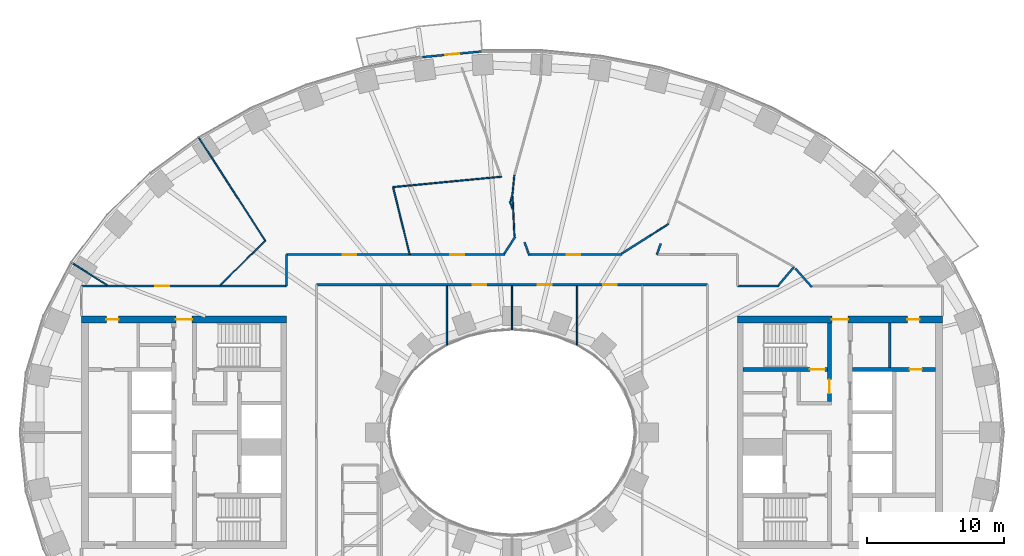
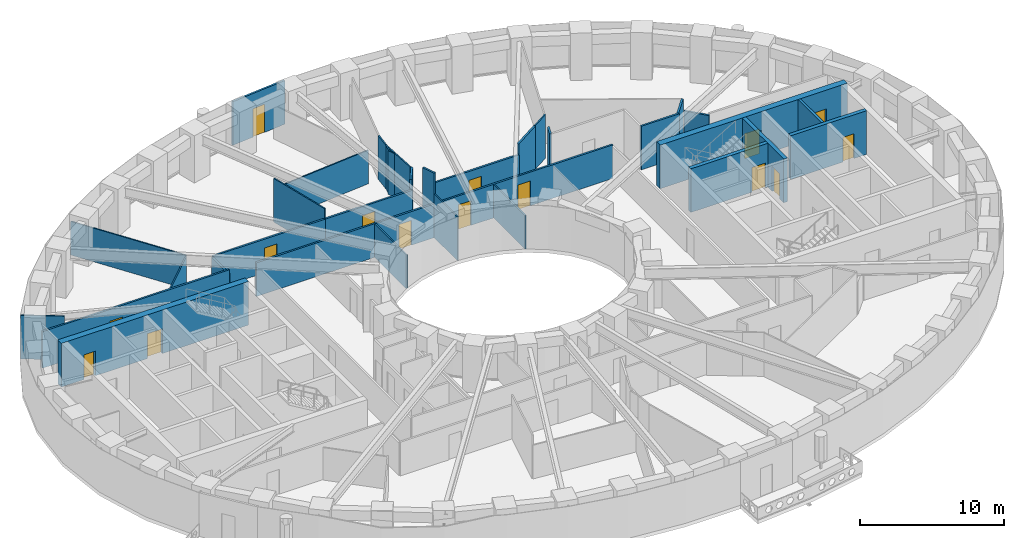
# One storey, part 6 of 16: 33 walls, 15 doors, 15 openings.
"""IFC4 building model written with IfcOpenShell, lengths in metres."""

from ifc_helpers import new_model, si_unit, direction, frame, frame_2d, origin, place, context, subcontext, project, spatial, rectangle, extrude, material, layer, layer_set, type_object, element, fill, save


model = new_model("IFC4")

# Units and contexts
model_context = context("Model", 3, precision=1e-05, world=origin(), true_north=direction((0.0, 1.0)))
body_context = subcontext(model_context, "Body", "Model", "MODEL_VIEW")
ifc_project = project(units=[si_unit("LENGTHUNIT", "METRE"), si_unit("AREAUNIT", "SQUARE_METRE"), si_unit("VOLUMEUNIT", "CUBIC_METRE"), si_unit("PLANEANGLEUNIT", "RADIAN"), si_unit("MASSUNIT", "GRAM", prefix="KILO")], contexts=[model_context])

# Site, building, storey
site_placement = place(None, origin())
site = spatial("IfcSite", under=ifc_project, at=site_placement, CompositionType="ELEMENT")
building_placement = place(site_placement, origin())
building = spatial("IfcBuilding", under=site, at=building_placement, Name="Noorbagh Ring Tower", CompositionType="ELEMENT")
storey_placement = place(building_placement, frame((0.0, 0.0, 42.5)))
storey = spatial("IfcBuildingStorey", under=building, at=storey_placement, Name="L08", CompositionType="ELEMENT", Elevation=42.5)

# Wall
ifc_material_1 = material(Name="Gypsum board on steel studs", Category="steel")
ifc_layer_1 = layer(ifc_material_1, 0.199951171875)
ifc_layer_set_1 = layer_set([ifc_layer_1], Name="Gypsum board on steel studs")
wall_type_1 = type_object("IfcWallType", Name="CORE-PARTITION-200", PredefinedType="PARTITIONING", material=ifc_layer_set_1)
wall_1_placement = place(storey_placement, frame((27.64990234375, 4.75, 0.0), z_axis=(0.0, 0.0, 1.0), x_axis=(0.0, 1.0, 0.0)))
element("IfcWall", 1, at=wall_1_placement, inside=storey, type_object=wall_type_1, Name="Core partition E", PredefinedType="PARTITIONING", context=body_context, shape_type="SweptSolid", body=[
    extrude(rectangle(XDim=3.25, YDim=0.199951171875, at=frame_2d((1.625, 0.0))), origin(), (0.0, 0.0, 1.0), 3.699951171875),
])

# Wall, opening, door
ifc_material_2 = material(Name="Concrete C70/85", Category="concrete")
ifc_layer_2 = layer(ifc_material_2, 0.300048828125)
ifc_layer_set_2 = layer_set([ifc_layer_2], Name="Concrete C70/85")
wall_type_2 = type_object("IfcWallType", Name="CORE-WALL-300-C70-85-EI240", PredefinedType="SHEAR", material=ifc_layer_set_2)
wall_2_placement = place(storey_placement, frame((24.89990234375, 4.60009765625, 0.0), z_axis=(0.0, 0.0, 1.0), x_axis=(1.0, 0.0, 0.0)))
wall_2 = element("IfcWall", 2, at=wall_2_placement, inside=storey, type_object=wall_type_2, Name="Core wall E", PredefinedType="SHEAR", context=body_context, shape_type="SweptSolid", body=[
    extrude(rectangle(XDim=6.10009765625, YDim=0.300048828125, at=frame_2d((3.050048828125, 0.0))), origin(), (0.0, 0.0, 1.0), 3.699951171875),
])
opening_1_placement = place(wall_2_placement, frame((4.199951171875, 0.0, 0.0)))
opening_1 = element("IfcOpeningElement", 3, at=opening_1_placement, cuts=wall_2, Name="Opening L08-CE18", PredefinedType="OPENING", context=body_context, shape_type="SweptSolid", body=[
    extrude(rectangle(XDim=0.89990234375, YDim=2.10009765625, at=frame_2d((0.449951171875, 1.050048828125))), frame((0.0, 0.16015625, 0.0), z_axis=(0.0, -1.0, 0.0), x_axis=(1.0, 0.0, 0.0)), (0.0, 0.0, 1.0), 0.320068359375),
])
ifc_material_3 = material(Name="Steel door leaf", Category="steel")
door_type_1 = type_object("IfcDoorType", Name="CORE-DOOR-DROOM", OperationType="SINGLE_SWING_LEFT", PredefinedType="DOOR", material=ifc_material_3)
door_1_placement = place(opening_1_placement, origin())
door_1 = element("IfcDoor", 4, at=door_1_placement, inside=storey, type_object=door_type_1, Name="Core room door L08-CE18", OperationType="SINGLE_SWING_RIGHT", OverallHeight=2.10009765625, OverallWidth=0.89990234375, PredefinedType="DOOR", context=body_context, shape_type="SweptSolid", body=[
    extrude(rectangle(XDim=0.89990234375, YDim=2.10009765625, at=frame_2d((0.449951171875, 1.050048828125))), frame((0.0, 0.02490234375, 0.0), z_axis=(0.0, -1.0, 0.0), x_axis=(1.0, 0.0, 0.0)), (0.0, 0.0, 1.0), 0.050048828125),
])
fill(opening_1, door_1)

wall_3_placement = place(storey_placement, frame((23.22998046875, 2.25, 0.0), z_axis=(0.0, 0.0, 1.0), x_axis=(0.0, 1.0, 0.0)))
wall_3 = element("IfcWall", 5, at=wall_3_placement, inside=storey, type_object=wall_type_2, Name="Core wall E", PredefinedType="SHEAR", context=body_context, shape_type="SweptSolid", body=[
    extrude(rectangle(XDim=5.75, YDim=0.300048828125, at=frame_2d((2.875, 0.0))), origin(), (0.0, 0.0, 1.0), 3.699951171875),
])
opening_2_placement = place(wall_3_placement, frame((0.60009765625, 0.0, 0.0)))
opening_2 = element("IfcOpeningElement", 6, at=opening_2_placement, cuts=wall_3, Name="Opening L08-CE08", PredefinedType="OPENING", context=body_context, shape_type="SweptSolid", body=[
    extrude(rectangle(XDim=1.0, YDim=2.10009765625, at=frame_2d((0.5, 1.050048828125))), frame((0.0, 0.16015625, 0.0), z_axis=(0.0, -1.0, 0.0), x_axis=(1.0, 0.0, 0.0)), (0.0, 0.0, 1.0), 0.320068359375),
])
ifc_material_4 = material(Name="Steel door leaf", Category="steel")
door_type_2 = type_object("IfcDoorType", Name="CORE-DOOR-DVEST", OperationType="SINGLE_SWING_LEFT", PredefinedType="DOOR", material=ifc_material_4)
door_2_placement = place(opening_2_placement, origin())
door_2 = element("IfcDoor", 7, at=door_2_placement, inside=storey, type_object=door_type_2, Name="Stair vestibule door L08-CE08", OperationType="SINGLE_SWING_RIGHT", OverallHeight=2.10009765625, OverallWidth=1.0, PredefinedType="DOOR", context=body_context, shape_type="SweptSolid", body=[
    extrude(rectangle(XDim=1.0, YDim=2.10009765625, at=frame_2d((0.5, 1.050048828125))), frame((0.0, 0.02490234375, 0.0), z_axis=(0.0, -1.0, 0.0), x_axis=(1.0, 0.0, 0.0)), (0.0, 0.0, 1.0), 0.050048828125),
])
fill(opening_2, door_2)

wall_4_placement = place(storey_placement, frame((16.89990234375, 4.60009765625, 0.0), z_axis=(0.0, 0.0, 1.0), x_axis=(1.0, 0.0, 0.0)))
wall_4 = element("IfcWall", 8, at=wall_4_placement, inside=storey, type_object=wall_type_2, Name="Core wall E", PredefinedType="SHEAR", context=body_context, shape_type="SweptSolid", body=[
    extrude(rectangle(XDim=6.18017578125, YDim=0.300048828125, at=frame_2d((3.090087890625, 0.0))), origin(), (0.0, 0.0, 1.0), 3.699951171875),
])
opening_3_placement = place(wall_4_placement, frame((4.89990234375, 0.0, 0.0)))
opening_3 = element("IfcOpeningElement", 9, at=opening_3_placement, cuts=wall_4, Name="Opening L08-CE05", PredefinedType="OPENING", context=body_context, shape_type="SweptSolid", body=[
    extrude(rectangle(XDim=1.10009765625, YDim=2.10009765625, at=frame_2d((0.550048828125, 1.050048828125))), frame((0.0, 0.16015625, 0.0), z_axis=(0.0, -1.0, 0.0), x_axis=(1.0, 0.0, 0.0)), (0.0, 0.0, 1.0), 0.320068359375),
])
ifc_material_5 = material(Name="Steel door leaf", Category="steel")
door_type_3 = type_object("IfcDoorType", Name="CORE-DOOR-DSTAIR", OperationType="SINGLE_SWING_LEFT", PredefinedType="DOOR", material=ifc_material_5)
door_3_placement = place(opening_3_placement, origin())
door_3 = element("IfcDoor", 10, at=door_3_placement, inside=storey, type_object=door_type_3, Name="Stair door ST3 L08-CE05", OperationType="SINGLE_SWING_LEFT", OverallHeight=2.10009765625, OverallWidth=1.10009765625, PredefinedType="DOOR", context=body_context, shape_type="SweptSolid", body=[
    extrude(rectangle(XDim=1.10009765625, YDim=2.10009765625, at=frame_2d((0.550048828125, 1.050048828125))), frame((0.0, 0.02490234375, 0.0), z_axis=(0.0, -1.0, 0.0), x_axis=(1.0, 0.0, 0.0)), (0.0, 0.0, 1.0), 0.050048828125),
])
fill(opening_3, door_3)

# Wall, openings, doors
ifc_material_6 = material(Name="Concrete C70/85", Category="concrete")
ifc_layer_3 = layer(ifc_material_6, 0.5)
ifc_layer_set_3 = layer_set([ifc_layer_3], Name="Concrete C70/85")
wall_type_3 = type_object("IfcWallType", Name="CORE-WALL-500-C70-85-EI240", PredefinedType="SHEAR", material=ifc_layer_set_3)
wall_5_placement = place(storey_placement, frame((-16.5, 8.25, 0.0), z_axis=(0.0, 0.0, 1.0), x_axis=(-1.0, 0.0, 0.0)))
wall_5 = element("IfcWall", 11, at=wall_5_placement, inside=storey, type_object=wall_type_3, Name="Core wall W", PredefinedType="SHEAR", context=body_context, shape_type="SweptSolid", body=[
    extrude(rectangle(XDim=15.0, YDim=0.5, at=frame_2d((7.5, 0.0))), origin(), (0.0, 0.0, 1.0), 3.699951171875),
])
opening_4_placement = place(wall_5_placement, frame((6.89990234375, 0.0, 0.0)))
opening_4 = element("IfcOpeningElement", 12, at=opening_4_placement, cuts=wall_5, Name="Opening L08-CW09", PredefinedType="OPENING", context=body_context, shape_type="SweptSolid", body=[
    extrude(rectangle(XDim=1.199951171875, YDim=2.10009765625, at=frame_2d((0.60009765625, 1.050048828125))), frame((0.0, 0.260009765625, 0.0), z_axis=(0.0, -1.0, 0.0), x_axis=(1.0, 0.0, 0.0)), (0.0, 0.0, 1.0), 0.52001953125),
])
opening_5_placement = place(wall_5_placement, frame((12.27490234375, 0.0, 0.0)))
opening_5 = element("IfcOpeningElement", 13, at=opening_5_placement, cuts=wall_5, Name="Opening L08-CW14", PredefinedType="OPENING", context=body_context, shape_type="SweptSolid", body=[
    extrude(rectangle(XDim=0.89990234375, YDim=2.10009765625, at=frame_2d((0.449951171875, 1.050048828125))), frame((0.0, 0.260009765625, 0.0), z_axis=(0.0, -1.0, 0.0), x_axis=(1.0, 0.0, 0.0)), (0.0, 0.0, 1.0), 0.52001953125),
])
door_4_placement = place(opening_5_placement, origin())
door_4 = element("IfcDoor", 14, at=door_4_placement, inside=storey, type_object=door_type_1, Name="Core room door L08-CW14", OperationType="SINGLE_SWING_RIGHT", OverallHeight=2.10009765625, OverallWidth=0.89990234375, PredefinedType="DOOR", context=body_context, shape_type="SweptSolid", body=[
    extrude(rectangle(XDim=0.89990234375, YDim=2.10009765625, at=frame_2d((0.449951171875, 1.050048828125))), frame((0.0, 0.02490234375, 0.0), z_axis=(0.0, -1.0, 0.0), x_axis=(1.0, 0.0, 0.0)), (0.0, 0.0, 1.0), 0.050048828125),
])
fill(opening_5, door_4)
ifc_material_7 = material(Name="Steel door leaf", Category="steel")
door_type_4 = type_object("IfcDoorType", Name="CORE-DOOR-PORT", OperationType="DOUBLE_DOOR_DOUBLE_SWING", PredefinedType="DOOR", material=ifc_material_7)
door_5_placement = place(opening_4_placement, origin())
door_5 = element("IfcDoor", 15, at=door_5_placement, inside=storey, type_object=door_type_4, Name="Core entrance door L08-CW09", OperationType="DOUBLE_DOOR_DOUBLE_SWING", OverallHeight=2.10009765625, OverallWidth=1.199951171875, PredefinedType="DOOR", context=body_context, shape_type="SweptSolid", body=[
    extrude(rectangle(XDim=1.199951171875, YDim=2.10009765625, at=frame_2d((0.60009765625, 1.050048828125))), frame((0.0, 0.02490234375, 0.0), z_axis=(0.0, -1.0, 0.0), x_axis=(1.0, 0.0, 0.0)), (0.0, 0.0, 1.0), 0.050048828125),
])
fill(opening_4, door_5)

wall_6_placement = place(storey_placement, frame((16.5, 8.25, 0.0), z_axis=(0.0, 0.0, 1.0), x_axis=(1.0, 0.0, 0.0)))
wall_6 = element("IfcWall", 16, at=wall_6_placement, inside=storey, type_object=wall_type_3, Name="Core wall E", PredefinedType="SHEAR", context=body_context, shape_type="SweptSolid", body=[
    extrude(rectangle(XDim=15.0, YDim=0.5, at=frame_2d((7.5, 0.0))), origin(), (0.0, 0.0, 1.0), 3.699951171875),
])
opening_6_placement = place(wall_6_placement, frame((6.89990234375, 0.0, 0.0)))
opening_6 = element("IfcOpeningElement", 17, at=opening_6_placement, cuts=wall_6, Name="Opening L08-CE09", PredefinedType="OPENING", context=body_context, shape_type="SweptSolid", body=[
    extrude(rectangle(XDim=1.199951171875, YDim=2.10009765625, at=frame_2d((0.60009765625, 1.050048828125))), frame((0.0, 0.260009765625, 0.0), z_axis=(0.0, -1.0, 0.0), x_axis=(1.0, 0.0, 0.0)), (0.0, 0.0, 1.0), 0.52001953125),
])
opening_7_placement = place(wall_6_placement, frame((12.425048828125, 0.0, 0.0)))
opening_7 = element("IfcOpeningElement", 18, at=opening_7_placement, cuts=wall_6, Name="Opening L08-CE15", PredefinedType="OPENING", context=body_context, shape_type="SweptSolid", body=[
    extrude(rectangle(XDim=0.89990234375, YDim=2.10009765625, at=frame_2d((0.449951171875, 1.050048828125))), frame((0.0, 0.260009765625, 0.0), z_axis=(0.0, -1.0, 0.0), x_axis=(1.0, 0.0, 0.0)), (0.0, 0.0, 1.0), 0.52001953125),
])
door_6_placement = place(opening_7_placement, origin())
door_6 = element("IfcDoor", 19, at=door_6_placement, inside=storey, type_object=door_type_1, Name="Core room door L08-CE15", OperationType="SINGLE_SWING_LEFT", OverallHeight=2.10009765625, OverallWidth=0.89990234375, PredefinedType="DOOR", context=body_context, shape_type="SweptSolid", body=[
    extrude(rectangle(XDim=0.89990234375, YDim=2.10009765625, at=frame_2d((0.449951171875, 1.050048828125))), frame((0.0, 0.02490234375, 0.0), z_axis=(0.0, -1.0, 0.0), x_axis=(1.0, 0.0, 0.0)), (0.0, 0.0, 1.0), 0.050048828125),
])
fill(opening_7, door_6)
door_7_placement = place(opening_6_placement, origin())
door_7 = element("IfcDoor", 20, at=door_7_placement, inside=storey, type_object=door_type_4, Name="Core entrance door L08-CE09", OperationType="DOUBLE_DOOR_DOUBLE_SWING", OverallHeight=2.10009765625, OverallWidth=1.199951171875, PredefinedType="DOOR", context=body_context, shape_type="SweptSolid", body=[
    extrude(rectangle(XDim=1.199951171875, YDim=2.10009765625, at=frame_2d((0.60009765625, 1.050048828125))), frame((0.0, 0.02490234375, 0.0), z_axis=(0.0, -1.0, 0.0), x_axis=(1.0, 0.0, 0.0)), (0.0, 0.0, 1.0), 0.050048828125),
])
fill(opening_6, door_7)

# Wall, opening, door
ifc_material_8 = material(Name="Gypsum board on steel studs", Category="steel")
ifc_layer_4 = layer(ifc_material_8, 0.14990234375)
ifc_layer_set_4 = layer_set([ifc_layer_4], Name="Gypsum board on steel studs")
wall_type_4 = type_object("IfcWallType", Name="CORRIDOR PARTITION 150 EI 30", PredefinedType="PARTITIONING", material=ifc_layer_set_4)
wall_7_placement = place(storey_placement, frame((-31.5, 10.699951171875, 0.0), z_axis=(0.0, 0.0, 1.0), x_axis=(1.0, 0.0, 0.0)))
wall_7 = element("IfcWall", 21, at=wall_7_placement, inside=storey, type_object=wall_type_4, Name="L08/wall/P07", PredefinedType="PARTITIONING", context=body_context, shape_type="SweptSolid", body=[
    extrude(rectangle(XDim=15.0, YDim=0.14990234375, at=frame_2d((7.5, 0.0))), origin(), (0.0, 0.0, 1.0), 3.10009765625),
])
opening_8_placement = place(wall_7_placement, frame((5.4140625, 0.0, 0.0)))
opening_8 = element("IfcOpeningElement", 22, at=opening_8_placement, cuts=wall_7, Name="Opening D1", PredefinedType="OPENING", context=body_context, shape_type="SweptSolid", body=[
    extrude(rectangle(XDim=1.0, YDim=2.10009765625, at=frame_2d((0.5, 1.050048828125))), frame((0.0, 0.0849609375, 0.0), z_axis=(0.0, -1.0, 0.0), x_axis=(1.0, 0.0, 0.0)), (0.0, 0.0, 1.0), 0.169921875),
])
ifc_material_9 = material(Name="Timber, painted", Category="wood")
door_type_5 = type_object("IfcDoorType", Name="DOOR 1000 X 2100 FD30", OperationType="SINGLE_SWING_LEFT", PredefinedType="DOOR", material=ifc_material_9)
door_8_placement = place(opening_8_placement, origin())
door_8 = element("IfcDoor", 23, at=door_8_placement, inside=storey, type_object=door_type_5, Name="L08-D09", OperationType="SINGLE_SWING_LEFT", OverallHeight=2.10009765625, OverallWidth=1.0, PredefinedType="DOOR", context=body_context, shape_type="SweptSolid", body=[
    extrude(rectangle(XDim=1.0, YDim=2.10009765625, at=frame_2d((0.5, 1.050048828125))), frame((0.0, 0.02490234375, 0.0), z_axis=(0.0, -1.0, 0.0), x_axis=(1.0, 0.0, 0.0)), (0.0, 0.0, 1.0), 0.050048828125),
])
fill(opening_8, door_8)

# Wall
wall_8_placement = place(storey_placement, frame((-16.5, 10.699951171875, 0.0), z_axis=(0.0, 0.0, 1.0), x_axis=(0.0, 1.0, 0.0)))
element("IfcWall", 24, at=wall_8_placement, inside=storey, type_object=wall_type_4, Name="L08/wall/P14", PredefinedType="PARTITIONING", context=body_context, shape_type="SweptSolid", body=[
    extrude(rectangle(XDim=2.300048828125, YDim=0.14990234375, at=frame_2d((1.14990234375, 0.0))), origin(), (0.0, 0.0, 1.0), 2.75),
])

# Wall, opening, door
wall_9_placement = place(storey_placement, frame((-16.5, 13.0, 0.0), z_axis=(0.0, 0.0, 1.0), x_axis=(1.0, 0.0, 0.0)))
wall_9 = element("IfcWall", 25, at=wall_9_placement, inside=storey, type_object=wall_type_4, Name="L08/wall/P15", PredefinedType="PARTITIONING", context=body_context, shape_type="SweptSolid", body=[
    extrude(rectangle(XDim=9.0009765625, YDim=0.14990234375, at=frame_2d((4.50048828125, 0.0))), origin(), (0.0, 0.0, 1.0), 2.85009765625),
])
opening_9_placement = place(wall_9_placement, frame((4.116943359375, 0.0, 0.0)))
opening_9 = element("IfcOpeningElement", 26, at=opening_9_placement, cuts=wall_9, Name="Opening D1", PredefinedType="OPENING", context=body_context, shape_type="SweptSolid", body=[
    extrude(rectangle(XDim=1.0, YDim=2.10009765625, at=frame_2d((0.5, 1.050048828125))), frame((0.0, 0.0849609375, 0.0), z_axis=(0.0, -1.0, 0.0), x_axis=(1.0, 0.0, 0.0)), (0.0, 0.0, 1.0), 0.169921875),
])
door_9_placement = place(opening_9_placement, origin())
door_9 = element("IfcDoor", 27, at=door_9_placement, inside=storey, type_object=door_type_5, Name="L08-D11", OperationType="SINGLE_SWING_LEFT", OverallHeight=2.10009765625, OverallWidth=1.0, PredefinedType="DOOR", context=body_context, shape_type="SweptSolid", body=[
    extrude(rectangle(XDim=1.0, YDim=2.10009765625, at=frame_2d((0.5, 1.050048828125))), frame((0.0, 0.02490234375, 0.0), z_axis=(0.0, -1.0, 0.0), x_axis=(1.0, 0.0, 0.0)), (0.0, 0.0, 1.0), 0.050048828125),
])
fill(opening_9, door_9)

# Wall, openings, doors
wall_10_placement = place(storey_placement, frame((-14.300048828125, 10.800048828125, 0.0), z_axis=(0.0, 0.0, 1.0), x_axis=(1.0, 0.0, 0.0)))
wall_10 = element("IfcWall", 28, at=wall_10_placement, inside=storey, type_object=wall_type_4, Name="L08/wall/P18", PredefinedType="PARTITIONING", context=body_context, shape_type="SweptSolid", body=[
    extrude(rectangle(XDim=28.60009765625, YDim=0.14990234375, at=frame_2d((14.300048828125, 0.0))), origin(), (0.0, 0.0, 1.0), 2.85009765625),
])
opening_10_placement = place(wall_10_placement, frame((11.43310546875, 0.0, 0.0)))
opening_10 = element("IfcOpeningElement", 29, at=opening_10_placement, cuts=wall_10, Name="Opening D1", PredefinedType="OPENING", context=body_context, shape_type="SweptSolid", body=[
    extrude(rectangle(XDim=1.0, YDim=2.10009765625, at=frame_2d((0.5, 1.050048828125))), frame((0.0, 0.0849609375, 0.0), z_axis=(0.0, -1.0, 0.0), x_axis=(1.0, 0.0, 0.0)), (0.0, 0.0, 1.0), 0.169921875),
])
opening_11_placement = place(wall_10_placement, frame((16.199951171875, 0.0, 0.0)))
opening_11 = element("IfcOpeningElement", 30, at=opening_11_placement, cuts=wall_10, Name="Opening D1", PredefinedType="OPENING", context=body_context, shape_type="SweptSolid", body=[
    extrude(rectangle(XDim=1.0, YDim=2.10009765625, at=frame_2d((0.5, 1.050048828125))), frame((0.0, 0.0849609375, 0.0), z_axis=(0.0, -1.0, 0.0), x_axis=(1.0, 0.0, 0.0)), (0.0, 0.0, 1.0), 0.169921875),
])
opening_12_placement = place(wall_10_placement, frame((20.967041015625, 0.0, 0.0)))
opening_12 = element("IfcOpeningElement", 31, at=opening_12_placement, cuts=wall_10, Name="Opening D1", PredefinedType="OPENING", context=body_context, shape_type="SweptSolid", body=[
    extrude(rectangle(XDim=1.0, YDim=2.10009765625, at=frame_2d((0.5, 1.050048828125))), frame((0.0, 0.0849609375, 0.0), z_axis=(0.0, -1.0, 0.0), x_axis=(1.0, 0.0, 0.0)), (0.0, 0.0, 1.0), 0.169921875),
])
door_10_placement = place(opening_10_placement, origin())
door_10 = element("IfcDoor", 32, at=door_10_placement, inside=storey, type_object=door_type_5, Name="L08-D22", OperationType="SINGLE_SWING_RIGHT", OverallHeight=2.10009765625, OverallWidth=1.0, PredefinedType="DOOR", context=body_context, shape_type="SweptSolid", body=[
    extrude(rectangle(XDim=1.0, YDim=2.10009765625, at=frame_2d((0.5, 1.050048828125))), frame((0.0, 0.02490234375, 0.0), z_axis=(0.0, -1.0, 0.0), x_axis=(1.0, 0.0, 0.0)), (0.0, 0.0, 1.0), 0.050048828125),
])
fill(opening_10, door_10)
door_11_placement = place(opening_11_placement, origin())
door_11 = element("IfcDoor", 33, at=door_11_placement, inside=storey, type_object=door_type_5, Name="L08-D24", OperationType="SINGLE_SWING_RIGHT", OverallHeight=2.10009765625, OverallWidth=1.0, PredefinedType="DOOR", context=body_context, shape_type="SweptSolid", body=[
    extrude(rectangle(XDim=1.0, YDim=2.10009765625, at=frame_2d((0.5, 1.050048828125))), frame((0.0, 0.02490234375, 0.0), z_axis=(0.0, -1.0, 0.0), x_axis=(1.0, 0.0, 0.0)), (0.0, 0.0, 1.0), 0.050048828125),
])
fill(opening_11, door_11)
door_12_placement = place(opening_12_placement, origin())
door_12 = element("IfcDoor", 34, at=door_12_placement, inside=storey, type_object=door_type_5, Name="L08-D25", OperationType="SINGLE_SWING_LEFT", OverallHeight=2.10009765625, OverallWidth=1.0, PredefinedType="DOOR", context=body_context, shape_type="SweptSolid", body=[
    extrude(rectangle(XDim=1.0, YDim=2.10009765625, at=frame_2d((0.5, 1.050048828125))), frame((0.0, 0.02490234375, 0.0), z_axis=(0.0, -1.0, 0.0), x_axis=(1.0, 0.0, 0.0)), (0.0, 0.0, 1.0), 0.050048828125),
])
fill(opening_12, door_12)

# Wall, opening, door
wall_11_placement = place(storey_placement, frame((-7.48291015625, 13.0, 0.0), z_axis=(0.0, 0.0, 1.0), x_axis=(1.0, 0.0, 0.0)))
wall_11 = element("IfcWall", 35, at=wall_11_placement, inside=storey, type_object=wall_type_4, Name="L08/wall/P33", PredefinedType="PARTITIONING", context=body_context, shape_type="SweptSolid", body=[
    extrude(rectangle(XDim=6.9599609375, YDim=0.14990234375, at=frame_2d((3.47998046875, 0.0))), origin(), (0.0, 0.0, 1.0), 2.85009765625),
])
opening_13_placement = place(wall_11_placement, frame((2.970947265625, 0.0, 0.0)))
opening_13 = element("IfcOpeningElement", 36, at=opening_13_placement, cuts=wall_11, Name="Opening D1", PredefinedType="OPENING", context=body_context, shape_type="SweptSolid", body=[
    extrude(rectangle(XDim=1.0, YDim=2.10009765625, at=frame_2d((0.5, 1.050048828125))), frame((0.0, 0.0849609375, 0.0), z_axis=(0.0, -1.0, 0.0), x_axis=(1.0, 0.0, 0.0)), (0.0, 0.0, 1.0), 0.169921875),
])
door_13_placement = place(opening_13_placement, origin())
door_13 = element("IfcDoor", 37, at=door_13_placement, inside=storey, type_object=door_type_5, Name="L08-D13", OperationType="SINGLE_SWING_LEFT", OverallHeight=2.10009765625, OverallWidth=1.0, PredefinedType="DOOR", context=body_context, shape_type="SweptSolid", body=[
    extrude(rectangle(XDim=1.0, YDim=2.10009765625, at=frame_2d((0.5, 1.050048828125))), frame((0.0, 0.02490234375, 0.0), z_axis=(0.0, -1.0, 0.0), x_axis=(1.0, 0.0, 0.0)), (0.0, 0.0, 1.0), 0.050048828125),
])
fill(opening_13, door_13)

# Walls
wall_12_placement = place(storey_placement, frame((-0.56396484375, 13.074951171875, 0.0), z_axis=(0.0, 0.0, 1.0), x_axis=(0.542961200627, 0.839757783301, 0.0)))
element("IfcWall", 38, at=wall_12_placement, inside=storey, type_object=wall_type_4, Name="L08/wall/P39", PredefinedType="PARTITIONING", context=body_context, shape_type="SweptSolid", body=[
    extrude(rectangle(XDim=1.4658203125, YDim=0.14990234375, at=frame_2d((0.73291015625, 0.0))), origin(), (0.0, 0.0, 1.0), 3.699951171875),
])
wall_13_placement = place(storey_placement, frame((0.9189453125, 13.908935546875, 0.0), z_axis=(0.0, 0.0, 1.0), x_axis=(0.338918653524, -0.94081568136, 0.0)))
element("IfcWall", 39, at=wall_13_placement, inside=storey, type_object=wall_type_4, Name="L08/wall/P53", PredefinedType="PARTITIONING", context=body_context, shape_type="SweptSolid", body=[
    extrude(rectangle(XDim=1.041748046875, YDim=0.14990234375, at=frame_2d((0.52099609375, 0.0))), origin(), (0.0, 0.0, 1.0), 3.699951171875),
])

# Wall, opening, door
wall_14_placement = place(storey_placement, frame((1.325927734375, 13.0, 0.0), z_axis=(0.0, 0.0, 1.0), x_axis=(1.0, 0.0, 0.0)))
wall_14 = element("IfcWall", 40, at=wall_14_placement, inside=storey, type_object=wall_type_4, Name="L08/wall/P55", PredefinedType="PARTITIONING", context=body_context, shape_type="SweptSolid", body=[
    extrude(rectangle(XDim=6.72119140625, YDim=0.14990234375, at=frame_2d((3.360595703125, 0.0))), origin(), (0.0, 0.0, 1.0), 2.85009765625),
])
opening_14_placement = place(wall_14_placement, frame((2.680908203125, 0.0, 0.0)))
opening_14 = element("IfcOpeningElement", 41, at=opening_14_placement, cuts=wall_14, Name="Opening D1", PredefinedType="OPENING", context=body_context, shape_type="SweptSolid", body=[
    extrude(rectangle(XDim=1.0, YDim=2.10009765625, at=frame_2d((0.5, 1.050048828125))), frame((0.0, 0.0849609375, 0.0), z_axis=(0.0, -1.0, 0.0), x_axis=(1.0, 0.0, 0.0)), (0.0, 0.0, 1.0), 0.169921875),
])
door_14_placement = place(opening_14_placement, origin())
door_14 = element("IfcDoor", 42, at=door_14_placement, inside=storey, type_object=door_type_5, Name="L08-D15", OperationType="SINGLE_SWING_LEFT", OverallHeight=2.10009765625, OverallWidth=1.0, PredefinedType="DOOR", context=body_context, shape_type="SweptSolid", body=[
    extrude(rectangle(XDim=1.0, YDim=2.10009765625, at=frame_2d((0.5, 1.050048828125))), frame((0.0, 0.02490234375, 0.0), z_axis=(0.0, -1.0, 0.0), x_axis=(1.0, 0.0, 0.0)), (0.0, 0.0, 1.0), 0.050048828125),
])
fill(opening_14, door_14)

# Walls
wall_15_placement = place(storey_placement, frame((8.028076171875, 13.076904296875, 0.0), z_axis=(0.0, 0.0, 1.0), x_axis=(0.844718865656, 0.53521027457, 0.0)))
element("IfcWall", 43, at=wall_15_placement, inside=storey, type_object=wall_type_4, Name="L08/wall/P61", PredefinedType="PARTITIONING", context=body_context, shape_type="SweptSolid", body=[
    extrude(rectangle(XDim=2.49658203125, YDim=0.14990234375, at=frame_2d((1.248291015625, 0.0))), origin(), (0.0, 0.0, 1.0), 3.699951171875),
])
wall_16_placement = place(storey_placement, frame((10.594970703125, 13.0, 0.0), z_axis=(0.0, 0.0, 1.0), x_axis=(0.338659506624, 0.940908995904, 0.0)))
element("IfcWall", 44, at=wall_16_placement, inside=storey, type_object=wall_type_4, Name="L08/wall/P66", PredefinedType="PARTITIONING", context=body_context, shape_type="SweptSolid", body=[
    extrude(rectangle(XDim=0.864990234375, YDim=0.14990234375, at=frame_2d((0.4326171875, 0.0))), origin(), (0.0, 0.0, 1.0), 3.699951171875),
])
wall_17_placement = place(storey_placement, frame((16.5, 10.699951171875, 0.0), z_axis=(0.0, 0.0, 1.0), x_axis=(1.0, 0.0, 0.0)))
element("IfcWall", 45, at=wall_17_placement, inside=storey, type_object=wall_type_4, Name="L08/wall/P77", PredefinedType="PARTITIONING", context=body_context, shape_type="SweptSolid", body=[
    extrude(rectangle(XDim=3.04296875, YDim=0.14990234375, at=frame_2d((1.521484375, 0.0))), origin(), (0.0, 0.0, 1.0), 3.699951171875),
])
wall_18_placement = place(storey_placement, frame((19.510986328125, 10.778076171875, 0.0), z_axis=(0.0, 0.0, 1.0), x_axis=(0.646491141339, 0.762921492796, 0.0)))
element("IfcWall", 46, at=wall_18_placement, inside=storey, type_object=wall_type_4, Name="L08/wall/P79", PredefinedType="PARTITIONING", context=body_context, shape_type="SweptSolid", body=[
    extrude(rectangle(XDim=1.734130859375, YDim=0.14990234375, at=frame_2d((0.8671875, 0.0))), origin(), (0.0, 0.0, 1.0), 3.699951171875),
])
wall_19_placement = place(storey_placement, frame((20.72705078125, 11.993896484375, 0.0), z_axis=(0.0, 0.0, 1.0), x_axis=(0.663767495264, -0.747938976275, 0.0)))
element("IfcWall", 47, at=wall_19_placement, inside=storey, type_object=wall_type_4, Name="L08/wall/P81", PredefinedType="PARTITIONING", context=body_context, shape_type="SweptSolid", body=[
    extrude(rectangle(XDim=1.830322265625, YDim=0.14990234375, at=frame_2d((0.9150390625, 0.0))), origin(), (0.0, 0.0, 1.0), 2.75),
])

# Wall, opening, door
ifc_material_10 = material(Name="Insulated aluminium clad panel", Category="aluminium")
ifc_layer_5 = layer(ifc_material_10, 0.14990234375)
ifc_layer_set_5 = layer_set([ifc_layer_5], Name="Insulated aluminium clad panel")
wall_type_5 = type_object("IfcWallType", Name="ENV-WALL-DOOR", PredefinedType="STANDARD", material=ifc_layer_set_5)
wall_20_placement = place(storey_placement, frame((-2.166259765625, 27.875244140625, 0.0), z_axis=(0.0, 0.0, 1.0), x_axis=(-0.995473879823, -0.095035543824, 0.0)))
wall_20 = element("IfcWall", 48, at=wall_20_placement, inside=storey, type_object=wall_type_5, Name="Balcony door wall chord 13", PredefinedType="STANDARD", context=body_context, shape_type="SweptSolid", body=[
    extrude(rectangle(XDim=4.42626953125, YDim=0.14990234375, at=frame_2d((2.213134765625, 0.0))), origin(), (0.0, 0.0, 1.0), 3.699951171875),
])
opening_15_placement = place(wall_20_placement, frame((1.713134765625, 0.0, 0.0)))
opening_15 = element("IfcOpeningElement", 49, at=opening_15_placement, cuts=wall_20, Name="Opening D-BL", PredefinedType="OPENING", context=body_context, shape_type="SweptSolid", body=[
    extrude(rectangle(XDim=1.0, YDim=2.39990234375, at=frame_2d((0.5, 1.199951171875))), frame((0.0, 0.0849609375, 0.0), z_axis=(0.0, -1.0, 0.0), x_axis=(1.0, 0.0, 0.0)), (0.0, 0.0, 1.0), 0.169921875),
])
ifc_material_11 = material(Name="Aluminium and glass", Category="aluminium")
door_type_6 = type_object("IfcDoorType", Name="ENV-DOOR-BALCONY", OperationType="SINGLE_SWING_LEFT", PredefinedType="DOOR", material=ifc_material_11)
door_15_placement = place(opening_15_placement, origin())
door_15 = element("IfcDoor", 50, at=door_15_placement, inside=storey, type_object=door_type_6, Name="Balcony door chord 13", OperationType="SINGLE_SWING_LEFT", OverallHeight=2.39990234375, OverallWidth=1.0, PredefinedType="DOOR", context=body_context, shape_type="SweptSolid", body=[
    extrude(rectangle(XDim=1.0, YDim=2.39990234375, at=frame_2d((0.5, 1.199951171875))), frame((0.0, 0.02490234375, 0.0), z_axis=(0.0, -1.0, 0.0), x_axis=(1.0, 0.0, 0.0)), (0.0, 0.0, 1.0), 0.050048828125),
])
fill(opening_15, door_15)

# Walls
ifc_material_12 = material(Name="Gypsum board on steel studs", Category="steel")
ifc_layer_6 = layer(ifc_material_12, 0.10009765625)
ifc_layer_set_6 = layer_set([ifc_layer_6], Name="Gypsum board on steel studs")
wall_type_6 = type_object("IfcWallType", Name="PARTITION 100 GYPSUM", PredefinedType="PARTITIONING", material=ifc_layer_set_6)
wall_21_placement = place(storey_placement, frame((-32.2119140625, 12.407958984375, 0.0), z_axis=(0.0, 0.0, 1.0), x_axis=(0.844810627195, -0.535065420467, 0.0)))
element("IfcWall", 51, at=wall_21_placement, inside=storey, type_object=wall_type_6, Name="L08/wall/P03", PredefinedType="PARTITIONING", context=body_context, shape_type="SweptSolid", body=[
    extrude(rectangle(XDim=3.0478515625, YDim=0.10009765625, at=frame_2d((1.52392578125, 0.0))), origin(), (0.0, 0.0, 1.0), 3.699951171875),
])
wall_22_placement = place(storey_placement, frame((-22.905029296875, 21.5419921875, 0.0), z_axis=(0.0, 0.0, 1.0), x_axis=(0.542241597628, -0.840222619192, 0.0)))
element("IfcWall", 52, at=wall_22_placement, inside=storey, type_object=wall_type_6, Name="L08/wall/P09", PredefinedType="PARTITIONING", context=body_context, shape_type="SweptSolid", body=[
    extrude(rectangle(XDim=8.966552734375, YDim=0.10009765625, at=frame_2d((4.4833984375, 0.0))), origin(), (0.0, 0.0, 1.0), 2.85009765625),
])
wall_23_placement = place(storey_placement, frame((-21.362060546875, 10.778076171875, 0.0), z_axis=(0.0, 0.0, 1.0), x_axis=(0.716869759063, 0.697207105917, 0.0)))
element("IfcWall", 53, at=wall_23_placement, inside=storey, type_object=wall_type_6, Name="L08/wall/P11", PredefinedType="PARTITIONING", context=body_context, shape_type="SweptSolid", body=[
    extrude(rectangle(XDim=4.63134765625, YDim=0.10009765625, at=frame_2d((2.315673828125, 0.0))), origin(), (0.0, 0.0, 1.0), 2.75),
])
wall_24_placement = place(storey_placement, frame((-8.7041015625, 17.945068359375, 0.0), z_axis=(0.0, 0.0, 1.0), x_axis=(0.995439666097, 0.095393244838, 0.0)))
element("IfcWall", 54, at=wall_24_placement, inside=storey, type_object=wall_type_6, Name="L08/wall/P30", PredefinedType="PARTITIONING", context=body_context, shape_type="SweptSolid", body=[
    extrude(rectangle(XDim=7.987548828125, YDim=0.10009765625, at=frame_2d((3.99365234375, 0.0))), origin(), (0.0, 0.0, 1.0), 2.85009765625),
])
wall_25_placement = place(storey_placement, frame((-8.7041015625, 17.946044921875, 0.0), z_axis=(0.0, 0.0, 1.0), x_axis=(0.239704393154, -0.970845921814, 0.0)))
element("IfcWall", 55, at=wall_25_placement, inside=storey, type_object=wall_type_6, Name="L08/wall/P31", PredefinedType="PARTITIONING", context=body_context, shape_type="SweptSolid", body=[
    extrude(rectangle(XDim=5.094482421875, YDim=0.10009765625, at=frame_2d((2.54736328125, 0.0))), origin(), (0.0, 0.0, 1.0), 3.699951171875),
])
wall_26_placement = place(storey_placement, frame((-4.76708984375, 6.363037109375, 0.0), z_axis=(0.0, 0.0, 1.0), x_axis=(0.0, 1.0, 0.0)))
element("IfcWall", 56, at=wall_26_placement, inside=storey, type_object=wall_type_6, Name="L08/wall/P35", PredefinedType="PARTITIONING", context=body_context, shape_type="SweptSolid", body=[
    extrude(rectangle(XDim=4.362060546875, YDim=0.10009765625, at=frame_2d((2.18115234375, 0.0))), origin(), (0.0, 0.0, 1.0), 2.85009765625),
])
wall_27_placement = place(storey_placement, frame((-0.152099609375, 16.887939453125, 0.0), z_axis=(0.0, 0.0, 1.0), x_axis=(0.339185428329, -0.940719535892, 0.0)))
element("IfcWall", 57, at=wall_27_placement, inside=storey, type_object=wall_type_6, Name="L08/wall/P42", PredefinedType="PARTITIONING", context=body_context, shape_type="SweptSolid", body=[
    extrude(rectangle(XDim=0.5751953125, YDim=0.10009765625, at=frame_2d((0.28759765625, 0.0))), origin(), (0.0, 0.0, 1.0), 3.699951171875),
])
wall_28_placement = place(storey_placement, frame((-0.09912109375, 16.89208984375, 0.0), z_axis=(0.0, 0.0, 1.0), x_axis=(0.239223165208, 0.970964611728, 0.0)))
element("IfcWall", 58, at=wall_28_placement, inside=storey, type_object=wall_type_6, Name="L08/wall/P43", PredefinedType="PARTITIONING", context=body_context, shape_type="SweptSolid", body=[
    extrude(rectangle(XDim=0.694091796875, YDim=0.10009765625, at=frame_2d((0.34716796875, 0.0))), origin(), (0.0, 0.0, 1.0), 3.699951171875),
])
wall_29_placement = place(storey_placement, frame((0.0, 7.50390625, 0.0), z_axis=(0.0, 0.0, 1.0), x_axis=(0.0, 1.0, 0.0)))
element("IfcWall", 59, at=wall_29_placement, inside=storey, type_object=wall_type_6, Name="L08/wall/P45", PredefinedType="PARTITIONING", context=body_context, shape_type="SweptSolid", body=[
    extrude(rectangle(XDim=3.22119140625, YDim=0.10009765625, at=frame_2d((1.610595703125, 0.0))), origin(), (0.0, 0.0, 1.0), 3.699951171875),
])
wall_30_placement = place(storey_placement, frame((0.0400390625, 17.283935546875, 0.0), z_axis=(0.0, 0.0, 1.0), x_axis=(0.047505648741, -0.998870969314, 0.0)))
element("IfcWall", 60, at=wall_30_placement, inside=storey, type_object=wall_type_6, Name="L08/wall/P47", PredefinedType="PARTITIONING", context=body_context, shape_type="SweptSolid", body=[
    extrude(rectangle(XDim=2.92431640625, YDim=0.10009765625, at=frame_2d((1.462158203125, 0.0))), origin(), (0.0, 0.0, 1.0), 3.699951171875),
])
wall_31_placement = place(storey_placement, frame((0.0380859375, 17.47412109375, 0.0), z_axis=(0.0, 0.0, 1.0), x_axis=(0.100886401076, 0.99489795159, 0.0)))
element("IfcWall", 61, at=wall_31_placement, inside=storey, type_object=wall_type_6, Name="L08/wall/P49", PredefinedType="PARTITIONING", context=body_context, shape_type="SweptSolid", body=[
    extrude(rectangle(XDim=1.32861328125, YDim=0.10009765625, at=frame_2d((0.664306640625, 0.0))), origin(), (0.0, 0.0, 1.0), 3.699951171875),
])
wall_32_placement = place(storey_placement, frame((4.76708984375, 6.363037109375, 0.0), z_axis=(0.0, 0.0, 1.0), x_axis=(0.0, 1.0, 0.0)))
element("IfcWall", 62, at=wall_32_placement, inside=storey, type_object=wall_type_6, Name="L08/wall/P59", PredefinedType="PARTITIONING", context=body_context, shape_type="SweptSolid", body=[
    extrude(rectangle(XDim=4.362060546875, YDim=0.10009765625, at=frame_2d((2.18115234375, 0.0))), origin(), (0.0, 0.0, 1.0), 2.85009765625),
])
wall_33_placement = place(storey_placement, frame((10.136962890625, 14.4130859375, 0.0), z_axis=(0.0, 0.0, 1.0), x_axis=(0.844849680057, 0.535003755228, 0.0)))
element("IfcWall", 63, at=wall_33_placement, inside=storey, type_object=wall_type_6, Name="L08/wall/P64", PredefinedType="PARTITIONING", context=body_context, shape_type="SweptSolid", body=[
    extrude(rectangle(XDim=1.5625, YDim=0.10009765625, at=frame_2d((0.78125, 0.0))), origin(), (0.0, 0.0, 1.0), 3.699951171875),
])

save(model, "model.ifc")
